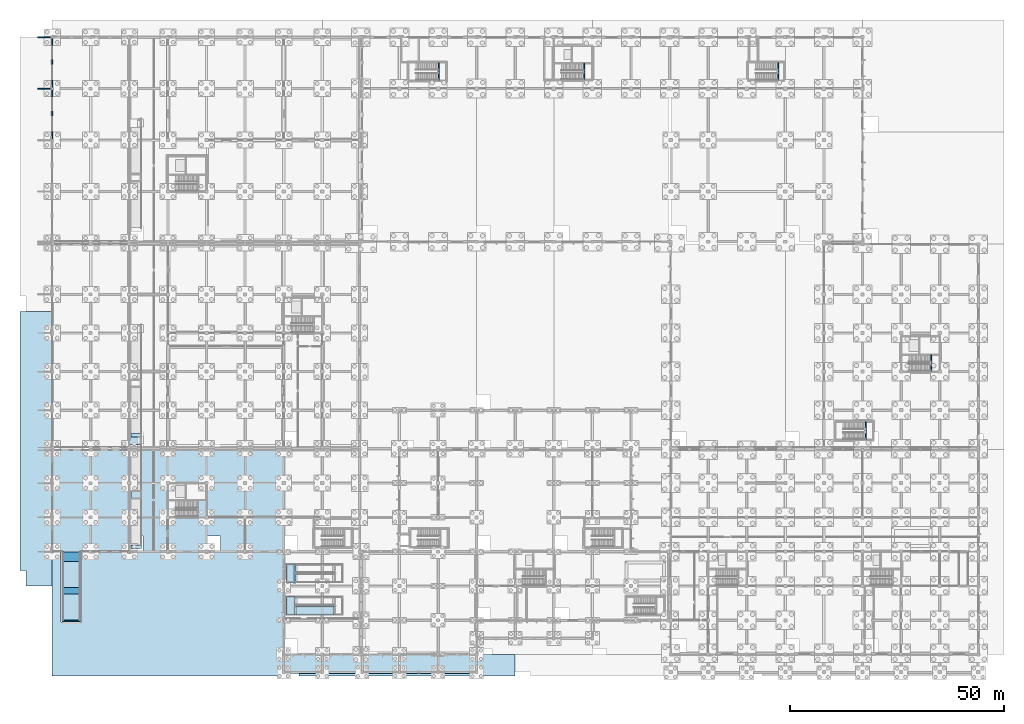
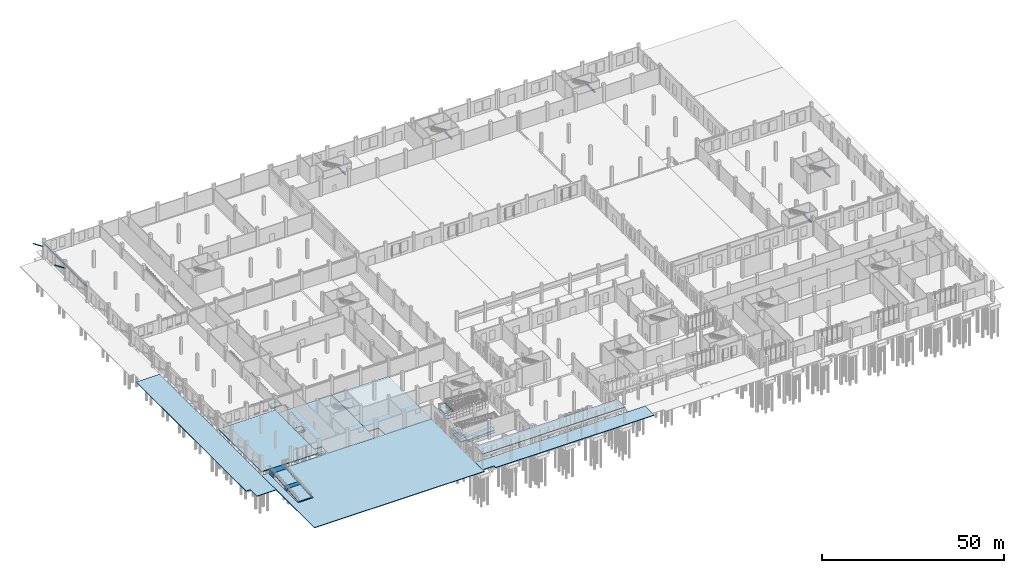
# One storey, part 46 of 99: 26 slabs, 7 beams, 2 members, 5 elements without a shape of their own.
"""IFC4 building model written with IfcOpenShell, lengths in metres."""

from ifc_helpers import new_model, si_unit, direction, frame, origin, origin_2d, place, context, subcontext, project, spatial, polyline, rectangle, hollow_circle, outline, extrude, material, layer, layer_set, material_profile, profile_set, type_object, element, aggregate, save


model = new_model("IFC4")

# Units and contexts
model_context = context("Model", 3, precision=1e-05, world=origin(), true_north=direction((0.0, 1.0)))
body_context = subcontext(model_context, "Body", "Model", "MODEL_VIEW")
ifc_project = project(units=[si_unit("LENGTHUNIT", "METRE"), si_unit("AREAUNIT", "SQUARE_METRE"), si_unit("VOLUMEUNIT", "CUBIC_METRE"), si_unit("PLANEANGLEUNIT", "RADIAN"), si_unit("MASSUNIT", "GRAM", prefix="KILO")], contexts=[model_context])

# Site, building, storey
site_placement = place(None, origin())
site = spatial("IfcSite", under=ifc_project, at=site_placement, CompositionType="ELEMENT")
building_placement = place(site_placement, origin())
building = spatial("IfcBuilding", under=site, at=building_placement, Name="Zacnel Wholesale Market", CompositionType="ELEMENT")
storey_placement = place(building_placement, origin())
storey = spatial("IfcBuildingStorey", under=building, at=storey_placement, Name="L01", CompositionType="ELEMENT", Elevation=0.0)

# Beams
ifc_material_1 = material(Name="Precast concrete C45/55", Category="concrete")
ifc_material_profile_1 = material_profile(ifc_material_1, rectangle(XDim=0.25, YDim=0.35009765625, at=origin_2d()), Name="LN 250x350")
ifc_profile_set_1 = profile_set([ifc_material_profile_1], Name="Precast concrete C45/55")
beam_type_1 = type_object("IfcBeamType", Name="BM-LN350", PredefinedType="LINTEL", material=ifc_profile_set_1)
beam_1_placement = place(storey_placement, frame((0.0, 132.300048828125, 5.080078125), z_axis=(0.0, 1.0, 0.0), x_axis=(-1.0, 0.0, 0.0)))
element("IfcBeam", 1, at=beam_1_placement, inside=storey, type_object=beam_type_1, Name="Precast dock lintel 12", PredefinedType="LINTEL", context=body_context, shape_type="SweptSolid", body=[
    extrude(rectangle(XDim=0.25, YDim=0.35009765625, at=origin_2d()), origin(), (0.0, 0.0, 1.0), 11.39990234375),
])
for number, where, z_axis, x_axis, name in (
    (2, (124.06005859375, 134.080078125, 2.77490234375), (0.0, 1.0, 0.0), (-1.0, 0.0, 0.0), "Stair ST-14 half-landing bearing beam"),
    (3, (205.06005859375, 66.080078125, 2.77490234375), (0.0, 1.0, 0.0), (-1.0, 0.0, 0.0), "Stair ST-15 half-landing bearing beam"),
):
    element("IfcBeam", number, at=place(storey_placement, frame(where, z_axis=z_axis, x_axis=x_axis)), inside=storey, type_object=beam_type_1, Name=name, PredefinedType="LINTEL", context=body_context, shape_type="SweptSolid", body=[
        extrude(rectangle(XDim=0.25, YDim=0.35009765625, at=origin_2d()), origin(), (0.0, 0.0, 1.0), 3.7900390625),
    ])
for number, where, z_axis, x_axis, name in (
    (4, (90.1298828125, 133.949951171875, 2.77490234375), (0.0, 1.0, 0.0), (-1.0, 0.0, 0.0), "Stair ST-20 half-landing bearing beam"),
    (5, (169.330078125, 133.949951171875, 2.77490234375), (0.0, 1.0, 0.0), (-1.0, 0.0, 0.0), "Stair ST-21 half-landing bearing beam"),
    (6, (189.72998046875, 50.14990234375, 2.77490234375), (0.0, 1.0, 0.0), (-1.0, 0.0, 0.0), "Stair ST-22 half-landing bearing beam"),
):
    element("IfcBeam", number, at=place(storey_placement, frame(where, z_axis=z_axis, x_axis=x_axis)), inside=storey, type_object=beam_type_1, Name=name, PredefinedType="LINTEL", context=body_context, shape_type="SweptSolid", body=[
        extrude(rectangle(XDim=0.25, YDim=0.35009765625, at=origin_2d()), origin(), (0.0, 0.0, 1.0), 4.10009765625),
    ])
ifc_material_2 = material(Name="Precast concrete C45/55", Category="concrete")
ifc_material_profile_2 = material_profile(ifc_material_2, rectangle(XDim=0.25, YDim=0.39990234375, at=origin_2d()), Name="LN 250x400")
ifc_profile_set_2 = profile_set([ifc_material_profile_2], Name="Precast concrete C45/55")
beam_type_2 = type_object("IfcBeamType", Name="BM-LN400", PredefinedType="LINTEL", material=ifc_profile_set_2)
beam_2_placement = place(storey_placement, frame((0.0, 120.300048828125, 5.080078125), z_axis=(0.0, 1.0, 0.0), x_axis=(-1.0, 0.0, 0.0)))
element("IfcBeam", 7, at=beam_2_placement, inside=storey, type_object=beam_type_2, Name="Precast dock lintel 11", PredefinedType="LINTEL", context=body_context, shape_type="SweptSolid", body=[
    extrude(rectangle(XDim=0.25, YDim=0.39990234375, at=origin_2d()), origin(), (0.0, 0.0, 1.0), 11.39990234375),
])

# Members
ifc_material_3 = material(Name="Steel S355", Category="steel")
ifc_material_profile_3 = material_profile(ifc_material_3, hollow_circle(Radius=0.109619140625, WallThickness=0.010009765625, at=origin_2d()), Name="CHS 219.1x10")
ifc_profile_set_3 = profile_set([ifc_material_profile_3], Name="Steel S355")
member_type = type_object("IfcMemberType", Name="MEM-BRC-CHS219", PredefinedType="BRACE", material=ifc_profile_set_3)
member_1_placement = place(storey_placement, frame((-0.14990234375, 132.0, 4.10009765625), z_axis=(-0.826719088587, 0.0, 0.562614920319), x_axis=(0.0, -1.0, 0.0)))
element("IfcMember", 8, at=member_1_placement, inside=storey, type_object=member_type, Name="Dock canopy diagonal brace 14", PredefinedType="BRACE", context=body_context, shape_type="SweptSolid", body=[
    extrude(hollow_circle(Radius=0.109619140625, WallThickness=0.010009765625, at=origin_2d()), origin(), (0.0, 0.0, 1.0), 3.810302734375),
])
member_2_placement = place(storey_placement, frame((-0.14990234375, 144.0, 4.10009765625), z_axis=(-0.832794267747, 0.0, 0.553582611367), x_axis=(0.0, -1.0, 0.0)))
element("IfcMember", 9, at=member_2_placement, inside=storey, type_object=member_type, Name="Dock canopy diagonal brace 15", PredefinedType="BRACE", context=body_context, shape_type="SweptSolid", body=[
    extrude(hollow_circle(Radius=0.109619140625, WallThickness=0.010009765625, at=origin_2d()), origin(), (0.0, 0.0, 1.0), 3.78271484375),
])

# Slabs
ifc_material_4 = material(Name="Concrete C35/45", Category="concrete")
ifc_layer_1 = layer(ifc_material_4, 0.219970703125)
ifc_layer_set_1 = layer_set([ifc_layer_1], Name="Concrete C35/45")
slab_type_1 = type_object("IfcSlabType", Name="SLB-BASE-220", PredefinedType="BASESLAB", material=ifc_layer_set_1)
slab_1_placement = place(storey_placement, frame((0.0, 0.0, -0.219970703125)))
element("IfcSlab", 10, at=slab_1_placement, inside=storey, type_object=slab_type_1, Name="Structural slab SLB-L01-PLAZA-SW", PredefinedType="BASESLAB", context=body_context, shape_type="SweptSolid", body=[
    extrude(outline(polyline([(54.0, 24.0), (54.0, -5.0), (0.0, -5.0), (0.0, 24.0), (2.10009765625, 24.0), (2.10009765625, 7.60009765625), (6.89990234375, 7.60009765625), (6.89990234375, 24.0), (54.0, 24.0)])), origin(), (0.0, 0.0, 1.0), 0.219970703125),
])
slab_2_placement = place(storey_placement, frame((0.0, 0.0, -0.219970703125)))
element("IfcSlab", 11, at=slab_2_placement, inside=storey, type_object=slab_type_1, Name="Structural slab SLB-L01-FORECOURT-S-P1", PredefinedType="BASESLAB", context=body_context, shape_type="SweptSolid", body=[
    extrude(outline(polyline([(57.60009765625, -5.0), (108.0, -5.0), (108.0, 0.0), (54.0, 0.0), (54.0, -4.10009765625), (57.60009765625, -4.10009765625), (57.60009765625, -5.0)])), origin(), (0.0, 0.0, 1.0), 0.219970703125),
])
ifc_material_5 = material(Name="Concrete C35/45", Category="concrete")
ifc_layer_2 = layer(ifc_material_5, 0.239990234375)
ifc_layer_set_2 = layer_set([ifc_layer_2], Name="Concrete C35/45")
slab_type_2 = type_object("IfcSlabType", Name="SLB-BASE-240", PredefinedType="BASESLAB", material=ifc_layer_set_2)
slab_3_placement = place(storey_placement, frame((0.0, 0.0, -0.239990234375)))
element("IfcSlab", 12, at=slab_3_placement, inside=storey, type_object=slab_type_2, Name="Structural slab SLB-L01-APRON-W-P1", PredefinedType="BASESLAB", context=body_context, shape_type="SweptSolid", body=[
    extrude(outline(polyline([(-6.14990234375, 16.0), (0.0, 16.0), (0.0, 80.0), (-7.5, 80.0), (-7.5, 19.60009765625), (-6.14990234375, 19.60009765625), (-6.14990234375, 16.0)])), origin(), (0.0, 0.0, 1.0), 0.239990234375),
])
ifc_material_6 = material(Name="Concrete C35/45", Category="concrete")
ifc_layer_3 = layer(ifc_material_6, 0.280029296875)
ifc_layer_set_3 = layer_set([ifc_layer_3], Name="Concrete C35/45")
slab_type_3 = type_object("IfcSlabType", Name="SLB-BASE-280", PredefinedType="BASESLAB", material=ifc_layer_set_3)
slab_4_placement = place(storey_placement, frame((0.0, 0.0, -0.280029296875)))
element("IfcSlab", 13, at=slab_4_placement, inside=storey, type_object=slab_type_3, Name="Structural slab SLB-L01-V3-COLD-S-P1", PredefinedType="BASESLAB", context=body_context, shape_type="SweptSolid", body=[
    extrude(outline(polyline([(21.239990234375, 24.0), (36.0, 24.0), (36.0, 47.699951171875), (18.0, 47.699951171875), (18.0, 27.60009765625), (21.239990234375, 27.60009765625), (21.239990234375, 24.0)])), origin(), (0.0, 0.0, 1.0), 0.280029296875),
])
slab_5_placement = place(storey_placement, frame((0.0, 0.0, -0.280029296875)))
element("IfcSlab", 14, at=slab_5_placement, inside=storey, type_object=slab_type_3, Name="Structural slab SLB-L01-V3-COLD-S-P2", PredefinedType="BASESLAB", context=body_context, shape_type="SweptSolid", body=[
    extrude(outline(polyline([(39.239990234375, 24.0), (54.0, 24.0), (54.0, 47.699951171875), (36.0, 47.699951171875), (36.0, 27.60009765625), (39.239990234375, 27.60009765625), (39.239990234375, 24.0)])), origin(), (0.0, 0.0, 1.0), 0.280029296875),
])
ifc_material_7 = material(Name="Precast concrete C45/55", Category="concrete")
ifc_layer_4 = layer(ifc_material_7, 0.300048828125)
ifc_layer_set_4 = layer_set([ifc_layer_4], Name="Precast concrete C45/55")
slab_type_4 = type_object("IfcSlabType", Name="SLB-FLR-300", PredefinedType="FLOOR", material=ifc_layer_set_4)
slab_6_placement = place(storey_placement, frame((0.0, 0.0, 0.925048828125)))
element("IfcSlab", 15, at=slab_6_placement, inside=storey, type_object=slab_type_4, Name="Structural slab SLB-L01-V3-DOCK-S", PredefinedType="FLOOR", context=body_context, shape_type="SweptSolid", body=[
    extrude(outline(polyline([(18.0, 24.0), (18.0, 47.699951171875), (0.0, 47.699951171875), (0.0, 24.0), (18.0, 24.0)])), origin(), (0.0, 0.0, 1.0), 0.300048828125),
])

# Stair, slab
ifc_material_8 = material(Name="Precast concrete C45/55", Category="concrete")
stair_type = type_object("IfcStairType", Name="STR-DOGLEG-1550", PredefinedType="HALF_TURN_STAIR", material=ifc_material_8)
stair_placement = place(storey_placement, origin())
stair = element("IfcStair", 16, at=stair_placement, inside=storey, type_object=stair_type, Name="Stair ST-07 (L01)", PredefinedType="HALF_TURN_STAIR")
ifc_material_9 = material(Name="Precast concrete C45/55", Category="concrete")
ifc_layer_5 = layer(ifc_material_9, 0.199951171875)
ifc_layer_set_5 = layer_set([ifc_layer_5], Name="Precast concrete C45/55")
slab_type_5 = type_object("IfcSlabType", Name="SLB-LAND-200", PredefinedType="LANDING", material=ifc_layer_set_5)
slab_7_placement = place(storey_placement, frame((0.0, 0.0, 2.949951171875)))
slab_7 = element("IfcSlab", 17, at=slab_7_placement, type_object=slab_type_5, Name="ST-07 landing 1", PredefinedType="LANDING", context=body_context, shape_type="SweptSolid", body=[
    extrude(outline(polyline([(33.909912109375, 31.989990234375), (36.010009765625, 31.989990234375), (36.010009765625, 35.9599609375), (33.909912109375, 35.9599609375), (33.909912109375, 31.989990234375)])), origin(), (0.0, 0.0, 1.0), 0.199951171875),
])
aggregate(stair, [slab_7])

# Ramp, slabs
ifc_material_10 = material(Name="Precast concrete C45/55", Category="concrete")
ramp_type_1 = type_object("IfcRampType", Name="RMP-TWO-RUN-2000", PredefinedType="TWO_STRAIGHT_RUN_RAMP", material=ifc_material_10)
ramp_1_placement = place(storey_placement, origin())
ramp_1 = element("IfcRamp", 18, at=ramp_1_placement, inside=storey, type_object=ramp_type_1, Name="Accessible ramp RP-03 (RMP-PROM-1A)", PredefinedType="TWO_STRAIGHT_RUN_RAMP")
ifc_material_11 = material(Name="Precast concrete C45/55", Category="concrete")
ifc_layer_6 = layer(ifc_material_11, 0.219970703125)
ifc_layer_set_6 = layer_set([ifc_layer_6], Name="Precast concrete C45/55")
slab_type_6 = type_object("IfcSlabType", Name="SLB-LAND-220", PredefinedType="LANDING", material=ifc_layer_set_6)
slab_8_placement = place(storey_placement, frame((56.8798828125, 9.199951171875, 0.169921875), z_axis=(-0.031493861558, 0.0, 0.999503945307), x_axis=(0.999503945307, 0.0, 0.031493861558)))
slab_8 = element("IfcSlab", 19, at=slab_8_placement, type_object=slab_type_6, Name="Accessible ramp RP-03 (RMP-PROM-1A) structural deck 1", PredefinedType="LANDING", context=body_context, shape_type="SweptSolid", body=[
    extrude(outline(polyline([(0.0, 0.0), (8.736511521916425, 0.0), (8.736511521916425, 2.0), (0.0, 2.0), (0.0, 0.0)])), origin(), (0.0, 0.0, -1.0), 0.159912109375),
])
slab_9_placement = place(storey_placement, frame((0.0, 0.0, 0.830078125)))
slab_9 = element("IfcSlab", 20, at=slab_9_placement, type_object=slab_type_6, Name="Accessible ramp RP-03 (RMP-PROM-1A) landing 2", PredefinedType="LANDING", context=body_context, shape_type="SweptSolid", body=[
    extrude(outline(polyline([(54.699951171875, 9.199951171875), (56.64990234375, 9.199951171875), (56.64990234375, 13.5), (54.699951171875, 13.5), (54.699951171875, 9.199951171875)])), origin(), (0.0, 0.0, 1.0), 0.219970703125),
])
slab_10_placement = place(storey_placement, frame((56.8798828125, 9.199951171875, 0.81005859375), z_axis=(-0.060002967183, 0.0, 0.998198198721), x_axis=(0.998198198721, 0.0, 0.060002967183)))
slab_10 = element("IfcSlab", 21, at=slab_10_placement, type_object=slab_type_6, Name="Accessible ramp RP-03 (RMP-PROM-1A) structural deck 3", PredefinedType="LANDING", context=body_context, shape_type="SweptSolid", body=[
    extrude(outline(polyline([(0.0, 0.0), (8.747939783468377, 0.0), (8.747939783468377, 2.0), (0.0, 2.0), (0.0, 0.0)])), origin(), (0.0, 0.0, -1.0), 0.159912109375),
])
slab_11_placement = place(storey_placement, frame((0.0, 0.0, 1.8798828125)))
slab_11 = element("IfcSlab", 22, at=slab_11_placement, type_object=slab_type_6, Name="Accessible ramp RP-03 (RMP-PROM-1A) landing 4", PredefinedType="LANDING", context=body_context, shape_type="SweptSolid", body=[
    extrude(outline(polyline([(54.699951171875, 9.199951171875), (56.64990234375, 9.199951171875), (56.64990234375, 13.5), (54.699951171875, 13.5), (54.699951171875, 9.199951171875)])), origin(), (0.0, 0.0, 1.0), 0.22021484375),
])
slab_12_placement = place(storey_placement, frame((56.8798828125, 9.199951171875, 1.860107421875), z_axis=(-0.060002967183, 0.0, 0.998198198721), x_axis=(0.998198198721, 0.0, 0.060002967183)))
slab_12 = element("IfcSlab", 23, at=slab_12_placement, type_object=slab_type_6, Name="Accessible ramp RP-03 (RMP-PROM-1A) structural deck 5", PredefinedType="LANDING", context=body_context, shape_type="SweptSolid", body=[
    extrude(outline(polyline([(0.0, 0.0), (8.747939783468377, 0.0), (8.747939783468377, 2.0), (0.0, 2.0), (0.0, 0.0)])), origin(), (0.0, 0.0, -1.0), 0.159912109375),
])
slab_13_placement = place(storey_placement, frame((0.0, 0.0, 2.929931640625)))
slab_13 = element("IfcSlab", 24, at=slab_13_placement, type_object=slab_type_6, Name="Accessible ramp RP-03 (RMP-PROM-1A) landing 6", PredefinedType="LANDING", context=body_context, shape_type="SweptSolid", body=[
    extrude(outline(polyline([(54.699951171875, 9.199951171875), (56.64990234375, 9.199951171875), (56.64990234375, 13.5), (54.699951171875, 13.5), (54.699951171875, 9.199951171875)])), origin(), (0.0, 0.0, 1.0), 0.219970703125),
])
aggregate(ramp_1, [slab_8, slab_9, slab_10, slab_11, slab_12, slab_13])

ramp_2_placement = place(storey_placement, origin())
ramp_2 = element("IfcRamp", 25, at=ramp_2_placement, inside=storey, type_object=ramp_type_1, Name="Accessible ramp RP-03 (RMP-PROM-1B)", PredefinedType="TWO_STRAIGHT_RUN_RAMP")
slab_14_placement = place(storey_placement, frame((0.0, 0.0, 3.97998046875)))
slab_14 = element("IfcSlab", 26, at=slab_14_placement, type_object=slab_type_6, Name="Accessible ramp RP-03 (RMP-PROM-1B) landing 2", PredefinedType="LANDING", context=body_context, shape_type="SweptSolid", body=[
    extrude(outline(polyline([(54.699951171875, 16.800048828125), (56.64990234375, 16.800048828125), (56.64990234375, 21.10009765625), (54.699951171875, 21.10009765625), (54.699951171875, 16.800048828125)])), origin(), (0.0, 0.0, 1.0), 0.219970703125),
])
slab_15_placement = place(storey_placement, frame((0.0, 0.0, 5.030029296875)))
slab_15 = element("IfcSlab", 27, at=slab_15_placement, type_object=slab_type_6, Name="Accessible ramp RP-03 (RMP-PROM-1B) landing 4", PredefinedType="LANDING", context=body_context, shape_type="SweptSolid", body=[
    extrude(outline(polyline([(54.699951171875, 16.800048828125), (56.64990234375, 16.800048828125), (56.64990234375, 21.10009765625), (54.699951171875, 21.10009765625), (54.699951171875, 16.800048828125)])), origin(), (0.0, 0.0, 1.0), 0.219970703125),
])
slab_16_placement = place(storey_placement, frame((0.0, 0.0, 6.080078125)))
slab_16 = element("IfcSlab", 28, at=slab_16_placement, type_object=slab_type_6, Name="Accessible ramp RP-03 (RMP-PROM-1B) landing 6", PredefinedType="LANDING", context=body_context, shape_type="SweptSolid", body=[
    extrude(outline(polyline([(56.47998046875, 16.800048828125), (56.64990234375, 16.800048828125), (56.64990234375, 21.10009765625), (56.47998046875, 21.10009765625), (56.47998046875, 16.800048828125)])), origin(), (0.0, 0.0, 1.0), 0.219970703125),
])
aggregate(ramp_2, [slab_14, slab_15, slab_16])

ifc_material_12 = material(Name="Precast concrete C45/55", Category="concrete")
ramp_type_2 = type_object("IfcRampType", Name="RMP-STR-RUN-2400", PredefinedType="STRAIGHT_RUN_RAMP", material=ifc_material_12)
ramp_3_placement = place(storey_placement, origin())
ramp_3 = element("IfcRamp", 29, at=ramp_3_placement, inside=storey, type_object=ramp_type_2, Name="Accessible ramp RP-01 (RMP-DOCK-S)", PredefinedType="STRAIGHT_RUN_RAMP")
ifc_material_13 = material(Name="Precast concrete C45/55", Category="concrete")
ifc_layer_7 = layer(ifc_material_13, 0.39990234375)
ifc_layer_set_7 = layer_set([ifc_layer_7], Name="Precast concrete C45/55")
slab_type_7 = type_object("IfcSlabType", Name="SLB-LAND-400", PredefinedType="LANDING", material=ifc_layer_set_7)
slab_17_placement = place(storey_placement, frame((0.0, 0.0, -0.5)))
slab_17 = element("IfcSlab", 30, at=slab_17_placement, type_object=slab_type_7, Name="Accessible ramp RP-01 (RMP-DOCK-S) starter threshold", PredefinedType="LANDING", context=body_context, shape_type="SweptSolid", body=[
    extrude(outline(polyline([(18.39990234375, 24.699951171875), (20.800048828125, 24.699951171875), (20.800048828125, 25.60009765625), (18.39990234375, 25.60009765625), (18.39990234375, 24.699951171875)])), origin(), (0.0, 0.0, 1.0), 0.5),
])
slab_18_placement = place(storey_placement, frame((0.0, 0.0, 0.02001953125)))
slab_18 = element("IfcSlab", 31, at=slab_18_placement, type_object=slab_type_7, Name="Accessible ramp RP-01 (RMP-DOCK-S) landing 1", PredefinedType="LANDING", context=body_context, shape_type="SweptSolid", body=[
    extrude(outline(polyline([(18.39990234375, 36.25), (20.800048828125, 36.25), (20.800048828125, 38.25), (18.39990234375, 38.25), (18.39990234375, 36.25)])), origin(), (0.0, 0.0, 1.0), 0.592529296875),
])
slab_19_placement = place(storey_placement, frame((0.0, 0.0, 0.824951171875)))
slab_19 = element("IfcSlab", 32, at=slab_19_placement, type_object=slab_type_7, Name="Accessible ramp RP-01 (RMP-DOCK-S) landing 2", PredefinedType="LANDING", context=body_context, shape_type="SweptSolid", body=[
    extrude(outline(polyline([(18.0, 48.949951171875), (20.800048828125, 48.949951171875), (20.800048828125, 50.949951171875), (18.0, 50.949951171875), (18.0, 48.949951171875)])), origin(), (0.0, 0.0, 1.0), 0.400146484375),
])
aggregate(ramp_3, [slab_17, slab_18, slab_19])

# Ramp, slab
ramp_4_placement = place(storey_placement, origin())
ramp_4 = element("IfcRamp", 33, at=ramp_4_placement, inside=storey, type_object=ramp_type_2, Name="Accessible ramp RP-01 (RMP-DOCK-M)", PredefinedType="STRAIGHT_RUN_RAMP")
slab_20_placement = place(storey_placement, frame((0.0, 0.0, -0.5)))
slab_20 = element("IfcSlab", 34, at=slab_20_placement, type_object=slab_type_7, Name="Accessible ramp RP-01 (RMP-DOCK-M) starter threshold", PredefinedType="LANDING", context=body_context, shape_type="SweptSolid", body=[
    extrude(outline(polyline([(18.39990234375, 50.699951171875), (20.800048828125, 50.699951171875), (20.800048828125, 51.60009765625), (18.39990234375, 51.60009765625), (18.39990234375, 50.699951171875)])), origin(), (0.0, 0.0, 1.0), 0.5),
])
aggregate(ramp_4, [slab_20])

# Slabs
slab_21_placement = place(storey_placement, frame((0.0, 0.0, -0.5)))
element("IfcSlab", 35, at=slab_21_placement, inside=storey, type_object=slab_type_7, Name="Vehicle access ramp RP-02 threshold slab", PredefinedType="LANDING", context=body_context, shape_type="SweptSolid", body=[
    extrude(outline(polyline([(2.39990234375, 7.60009765625), (6.60009765625, 7.60009765625), (6.60009765625, 8.050048828125), (2.39990234375, 8.050048828125), (2.39990234375, 7.60009765625)])), origin(), (0.0, 0.0, 1.0), 0.5),
])
slab_22_placement = place(storey_placement, frame((0.0, 0.0, -0.5)))
element("IfcSlab", 36, at=slab_22_placement, inside=storey, type_object=slab_type_7, Name="Vehicle access ramp RP-02 mid landing", PredefinedType="LANDING", context=body_context, shape_type="SweptSolid", body=[
    extrude(outline(polyline([(2.39990234375, 14.125), (6.60009765625, 14.125), (6.60009765625, 15.625), (2.39990234375, 15.625), (2.39990234375, 14.125)])), origin(), (0.0, 0.0, 1.0), 1.112548828125),
])
slab_23_placement = place(storey_placement, frame((0.0, 0.0, -0.5)))
element("IfcSlab", 37, at=slab_23_placement, inside=storey, type_object=slab_type_7, Name="Vehicle access ramp RP-02 top apron landing", PredefinedType="LANDING", context=body_context, shape_type="SweptSolid", body=[
    extrude(outline(polyline([(2.39990234375, 21.75), (6.60009765625, 21.75), (6.60009765625, 23.9599609375), (2.39990234375, 23.9599609375), (2.39990234375, 21.75)])), origin(), (0.0, 0.0, 1.0), 1.72509765625),
])
ifc_material_14 = material(Name="Precast concrete C45/55", Category="concrete")
ifc_layer_8 = layer(ifc_material_14, 0.280029296875)
ifc_layer_set_8 = layer_set([ifc_layer_8], Name="Precast concrete C45/55")
slab_type_8 = type_object("IfcSlabType", Name="SLB-RAMP-VEH-280", PredefinedType="LANDING", material=ifc_layer_set_8)
for number, where, z_axis, x_axis, name in (
    (38, (2.39990234375, 8.0, 0.0), (0.0, -0.099511572849, 0.995036404796), (1.0, 0.0, 0.0), "Vehicle access ramp RP-02 flight 1"),
    (39, (2.39990234375, 15.625, 0.612548828125), (0.0, -0.099511572849, 0.995036404796), (1.0, 0.0, 0.0), "Vehicle access ramp RP-02 flight 2"),
):
    element("IfcSlab", number, at=place(storey_placement, frame(where, z_axis=z_axis, x_axis=x_axis)), inside=storey, type_object=slab_type_8, Name=name, PredefinedType="LANDING", context=body_context, shape_type="SweptSolid", body=[
        extrude(outline(polyline([(0.0, 0.0), (4.2001953125, 0.0), (4.2001953125, 6.15555367670832), (0.0, 6.15555367670832), (0.0, 0.0)])), origin(), (0.0, 0.0, -1.0), 0.280029296875),
    ])
ifc_material_15 = material(Name="Precast concrete C45/55", Category="concrete")
ifc_layer_9 = layer(ifc_material_15, 0.179931640625)
ifc_layer_set_9 = layer_set([ifc_layer_9], Name="Precast concrete C45/55")
slab_type_9 = type_object("IfcSlabType", Name="SLB-ROOF-CAN-180", PredefinedType="ROOF", material=ifc_layer_set_9)
slab_24_placement = place(storey_placement, frame((0.0, 0.0, 5.27001953125)))
element("IfcSlab", 40, at=slab_24_placement, inside=storey, type_object=slab_type_9, Name="Storm canopy slab CAN-BLVD-V4W", PredefinedType="ROOF", context=body_context, shape_type="SweptSolid", body=[
    extrude(outline(polyline([(54.0, -4.39990234375), (99.0, -4.39990234375), (99.0, 0.0), (54.0, 0.0), (54.0, -4.39990234375)])), origin(), (0.0, 0.0, 1.0), 0.179931640625),
])

save(model, "model.ifc")
